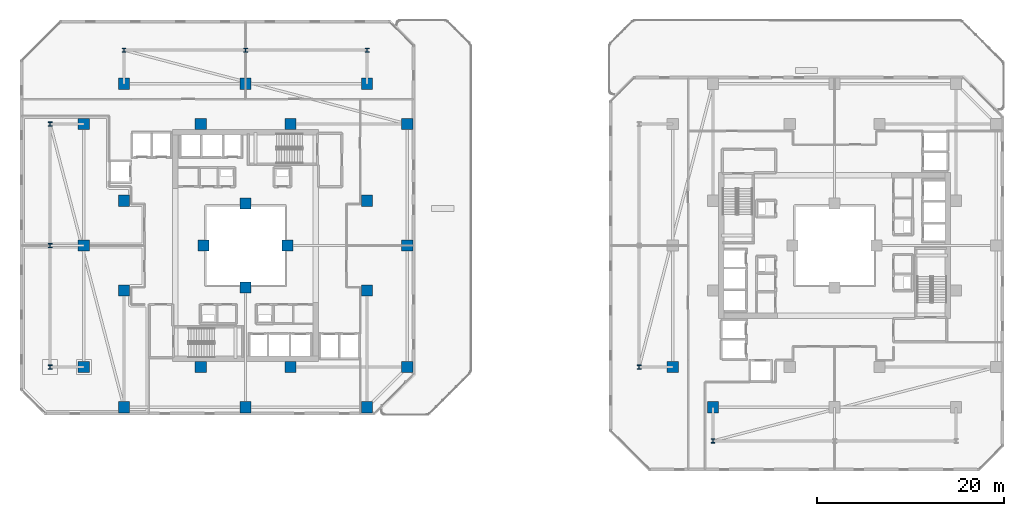
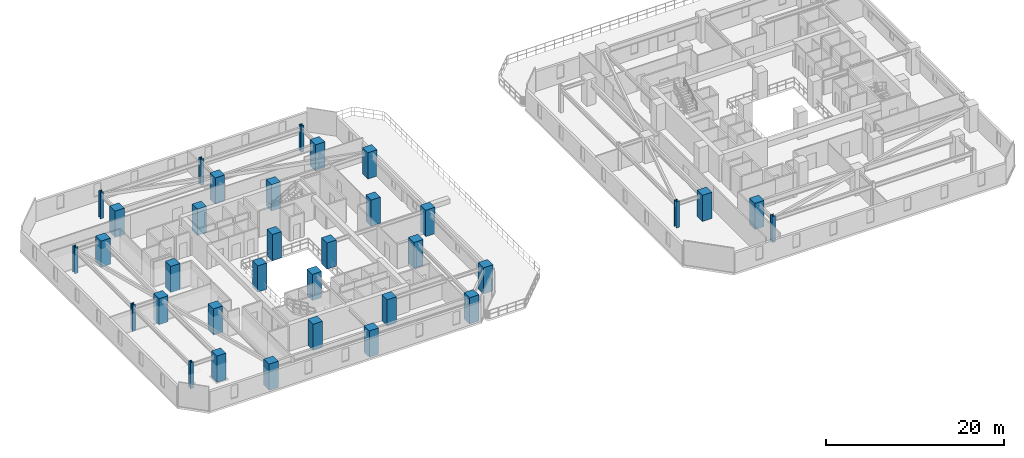
# One storey, part 1 of 33: 34 columns.
"""IFC4 building model written with IfcOpenShell, lengths in metres."""

from ifc_helpers import new_model, si_unit, direction, frame, origin, origin_2d, place, context, subcontext, project, spatial, rectangle, i_section, extrude, material, material_profile, profile_set, type_object, element, save


model = new_model("IFC4")

# Units and contexts
model_context = context("Model", 3, precision=1e-05, world=origin(), true_north=direction((0.0, 1.0)))
body_context = subcontext(model_context, "Body", "Model", "MODEL_VIEW")
ifc_project = project(units=[si_unit("LENGTHUNIT", "METRE"), si_unit("AREAUNIT", "SQUARE_METRE"), si_unit("VOLUMEUNIT", "CUBIC_METRE"), si_unit("PLANEANGLEUNIT", "RADIAN"), si_unit("MASSUNIT", "GRAM", prefix="KILO")], contexts=[model_context])

# Site, building, storey
site_placement = place(None, origin())
site = spatial("IfcSite", under=ifc_project, at=site_placement, CompositionType="ELEMENT")
building_placement = place(site_placement, origin())
building = spatial("IfcBuilding", under=site, at=building_placement, Name="Thornwick Lancets Civic Towers", CompositionType="ELEMENT")
storey_placement = place(building_placement, frame((0.0, 0.0, 98.10009765625)))
storey = spatial("IfcBuildingStorey", under=building, at=storey_placement, Name="L25", CompositionType="ELEMENT", Elevation=98.10009765625)

# Columns
ifc_material_1 = material(Name="Concrete C60/75", Category="concrete")
ifc_material_profile_1 = material_profile(ifc_material_1, rectangle(XDim=1.199951171875, YDim=1.199951171875, at=origin_2d()), Name="RC 1200x1200")
ifc_profile_set_1 = profile_set([ifc_material_profile_1], Name="Concrete C60/75")
column_type_1 = type_object("IfcColumnType", Name="COL_RC_1200", PredefinedType="COLUMN", material=ifc_profile_set_1)
for number, where, z_axis, x_axis, name in (
    (1, (12.5, 9.699951171875, 0.0), (0.0, 0.0, 1.0), (1.0, 0.0, 0.0), "L25 Spine Mega-Column A01"),
    (2, (25.5, 9.699951171875, 0.0), (0.0, 0.0, 1.0), (1.0, 0.0, 0.0), "L25 Spine Mega-Column A02"),
    (3, (38.5, 9.699951171875, 0.0), (0.0, 0.0, 1.0), (1.0, 0.0, 0.0), "L25 Spine Mega-Column A03"),
    (4, (42.800048828125, 14.0, 0.0), (0.0, 0.0, 1.0), (1.0, 0.0, 0.0), "L25 Spine Mega-Column A04"),
    (5, (42.800048828125, 27.0, 0.0), (0.0, 0.0, 1.0), (1.0, 0.0, 0.0), "L25 Spine Mega-Column A05"),
    (6, (42.800048828125, 40.0, 0.0), (0.0, 0.0, 1.0), (1.0, 0.0, 0.0), "L25 Spine Mega-Column A06"),
    (7, (12.5, 44.300048828125, 0.0), (0.0, 0.0, 1.0), (1.0, 0.0, 0.0), "L25 Spine Mega-Column A07"),
    (8, (25.5, 44.300048828125, 0.0), (0.0, 0.0, 1.0), (1.0, 0.0, 0.0), "L25 Spine Mega-Column A08"),
    (9, (38.5, 44.300048828125, 0.0), (0.0, 0.0, 1.0), (1.0, 0.0, 0.0), "L25 Spine Mega-Column A09"),
    (10, (8.199951171875, 14.0, 0.0), (0.0, 0.0, 1.0), (1.0, 0.0, 0.0), "L25 Spine Mega-Column A10"),
    (11, (8.199951171875, 27.0, 0.0), (0.0, 0.0, 1.0), (1.0, 0.0, 0.0), "L25 Spine Mega-Column A11"),
    (12, (8.199951171875, 40.0, 0.0), (0.0, 0.0, 1.0), (1.0, 0.0, 0.0), "L25 Spine Mega-Column A12"),
    (13, (12.5, 22.199951171875, 0.0), (0.0, 0.0, 1.0), (1.0, 0.0, 0.0), "L25 Spine Mega-Column A13"),
    (14, (38.5, 22.199951171875, 0.0), (0.0, 0.0, 1.0), (1.0, 0.0, 0.0), "L25 Spine Mega-Column A14"),
    (15, (12.5, 31.800048828125, 0.0), (0.0, 0.0, 1.0), (1.0, 0.0, 0.0), "L25 Spine Mega-Column A15"),
    (16, (38.5, 31.800048828125, 0.0), (0.0, 0.0, 1.0), (1.0, 0.0, 0.0), "L25 Spine Mega-Column A16"),
    (17, (20.699951171875, 14.0, 0.0), (0.0, 0.0, 1.0), (1.0, 0.0, 0.0), "L25 Spine Mega-Column A17"),
    (18, (30.300048828125, 14.0, 0.0), (0.0, 0.0, 1.0), (1.0, 0.0, 0.0), "L25 Spine Mega-Column A18"),
    (19, (20.699951171875, 40.0, 0.0), (0.0, 0.0, 1.0), (1.0, 0.0, 0.0), "L25 Spine Mega-Column A19"),
    (20, (30.300048828125, 40.0, 0.0), (0.0, 0.0, 1.0), (1.0, 0.0, 0.0), "L25 Spine Mega-Column A20"),
    (21, (25.5, 22.5, 0.0), (0.0, 0.0, 1.0), (1.0, 0.0, 0.0), "L25 Spine Mega-Column A21"),
    (22, (25.5, 31.5, 0.0), (0.0, 0.0, 1.0), (1.0, 0.0, 0.0), "L25 Spine Mega-Column A22"),
    (23, (21.0, 27.0, 0.0), (0.0, 0.0, 1.0), (1.0, 0.0, 0.0), "L25 Spine Mega-Column A23"),
    (24, (30.0, 27.0, 0.0), (0.0, 0.0, 1.0), (1.0, 0.0, 0.0), "L25 Spine Mega-Column A24"),
    (25, (71.199951171875, 14.0, 0.0), (0.0, 0.0, 1.0), (1.0, 0.0, 0.0), "L25 Spine Mega-Column B07"),
    (26, (75.5, 9.699951171875, 0.0), (0.0, 0.0, 1.0), (1.0, 0.0, 0.0), "L25 Spine Mega-Column B12"),
):
    element("IfcColumn", number, at=place(storey_placement, frame(where, z_axis=z_axis, x_axis=x_axis)), inside=storey, type_object=column_type_1, Name=name, PredefinedType="COLUMN", context=body_context, shape_type="SweptSolid", body=[
        extrude(rectangle(XDim=1.199951171875, YDim=1.199951171875, at=origin_2d()), origin(), (0.0, 0.0, 1.0), 3.599853515625),
    ])
ifc_material_2 = material(Name="Steel S460M", Category="steel")
ifc_material_profile_2 = material_profile(ifc_material_2, i_section(OverallWidth=0.41845703125, OverallDepth=0.45556640625, WebThickness=0.0419921875, FlangeThickness=0.0673828125, FilletRadius=0.01513671875, at=origin_2d()), Name="UKC 356x406x551")
ifc_profile_set_2 = profile_set([ifc_material_profile_2], Name="Steel S460M")
column_type_2 = type_object("IfcColumnType", Name="COL_UKC_551", PredefinedType="COLUMN", material=ifc_profile_set_2)
for number, where, z_axis, x_axis, name in (
    (27, (12.5, 47.89990234375, 0.0), (0.0, 0.0, 1.0), (1.0, 0.0, 0.0), "L25 Block Perimeter Column A07"),
    (28, (25.5, 47.89990234375, 0.0), (0.0, 0.0, 1.0), (1.0, 0.0, 0.0), "L25 Block Perimeter Column A08"),
    (29, (38.5, 47.89990234375, 0.0), (0.0, 0.0, 1.0), (1.0, 0.0, 0.0), "L25 Block Perimeter Column A09"),
    (30, (4.60009765625, 14.0, 0.0), (0.0, 0.0, 1.0), (1.0, 0.0, 0.0), "L25 Block Perimeter Column A10"),
    (31, (4.60009765625, 27.0, 0.0), (0.0, 0.0, 1.0), (1.0, 0.0, 0.0), "L25 Block Perimeter Column A11"),
    (32, (4.60009765625, 40.0, 0.0), (0.0, 0.0, 1.0), (1.0, 0.0, 0.0), "L25 Block Perimeter Column A12"),
    (33, (67.60009765625, 14.0, 0.0), (0.0, 0.0, 1.0), (1.0, 0.0, 0.0), "L25 Block Perimeter Column B07"),
    (34, (75.5, 6.10009765625, 0.0), (0.0, 0.0, 1.0), (1.0, 0.0, 0.0), "L25 Block Perimeter Column B12"),
):
    element("IfcColumn", number, at=place(storey_placement, frame(where, z_axis=z_axis, x_axis=x_axis)), inside=storey, type_object=column_type_2, Name=name, PredefinedType="COLUMN", context=body_context, shape_type="SweptSolid", body=[
        extrude(i_section(OverallWidth=0.41845703125, OverallDepth=0.45556640625, WebThickness=0.0419921875, FlangeThickness=0.0673828125, FilletRadius=0.01513671875, at=origin_2d()), origin(), (0.0, 0.0, 1.0), 3.599853515625),
    ])

save(model, "model.ifc")
